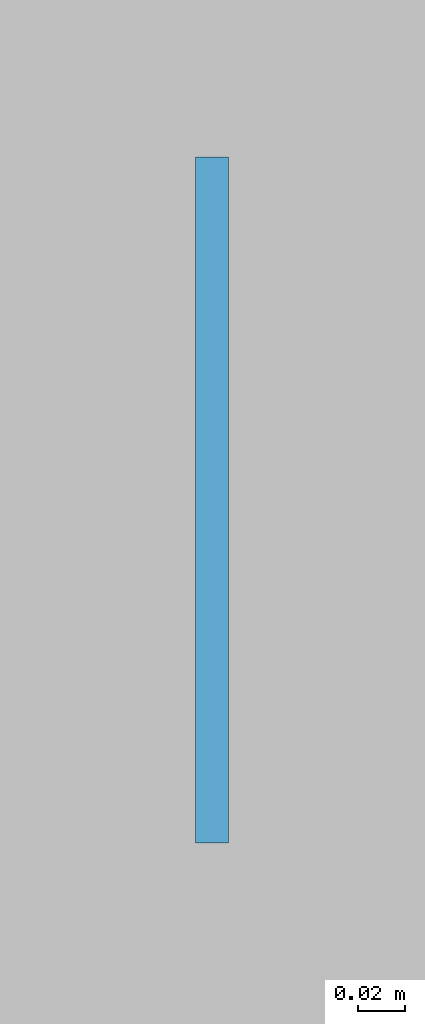
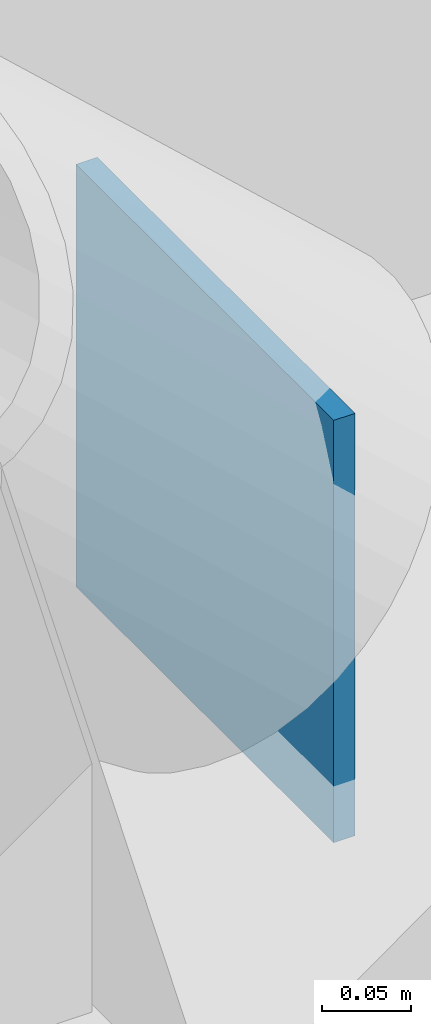
# One storey, part 149 of 172: 1 plate.
"""IFC4 building model written with IfcOpenShell, lengths in metres."""

from ifc_helpers import new_model, si_unit, direction, frame, origin, origin_2d, place, context, subcontext, project, spatial, rectangle, extrude, material, layer, layer_set, type_object, element, save


model = new_model("IFC4")

# Units and contexts
model_context = context("Model", 3, precision=1e-05, world=origin(), true_north=direction((0.0, 1.0)))
body_context = subcontext(model_context, "Body", "Model", "MODEL_VIEW")
ifc_project = project(units=[si_unit("LENGTHUNIT", "METRE"), si_unit("AREAUNIT", "SQUARE_METRE"), si_unit("VOLUMEUNIT", "CUBIC_METRE"), si_unit("PLANEANGLEUNIT", "RADIAN"), si_unit("MASSUNIT", "GRAM", prefix="KILO")], contexts=[model_context])

# Site, building, storey
site_placement = place(None, origin())
site = spatial("IfcSite", under=ifc_project, at=site_placement, CompositionType="ELEMENT")
building_placement = place(site_placement, origin())
building = spatial("IfcBuilding", under=site, at=building_placement, Name="Shengluoqiao Park Theatre", CompositionType="ELEMENT")
storey_placement = place(building_placement, frame((0.0, 0.0, 5.39990234375)))
storey = spatial("IfcBuildingStorey", under=building, at=storey_placement, Name="L01", CompositionType="ELEMENT", Elevation=5.39990234375)

# Plate
ifc_material = material(Name="Steel Q355", Category="steel")
ifc_layer = layer(ifc_material, 0.013916015625, Name="Steel Q355")
ifc_layer_set = layer_set([ifc_layer], Name="Steel Q355")
plate_type = type_object("IfcPlateType", Name="STR-PLT-EC-280", PredefinedType="SHEET", material=ifc_layer_set)
plate_placement = place(storey_placement, frame((130.30712890625, 84.080078125, -0.039794921875), z_axis=(0.0, 0.0, 1.0), x_axis=(-1.0, 0.0, 0.0)))
element("IfcPlate", 1, at=plate_placement, inside=storey, type_object=plate_type, Name="Hollow Tube End Cap Plate 00174", PredefinedType="SHEET", context=body_context, shape_type="SweptSolid", body=[
    extrude(rectangle(XDim=0.013916015625, YDim=0.2900390625, at=origin_2d()), origin(), (0.0, 0.0, 1.0), 0.2900390625),
])

save(model, "model.ifc")
